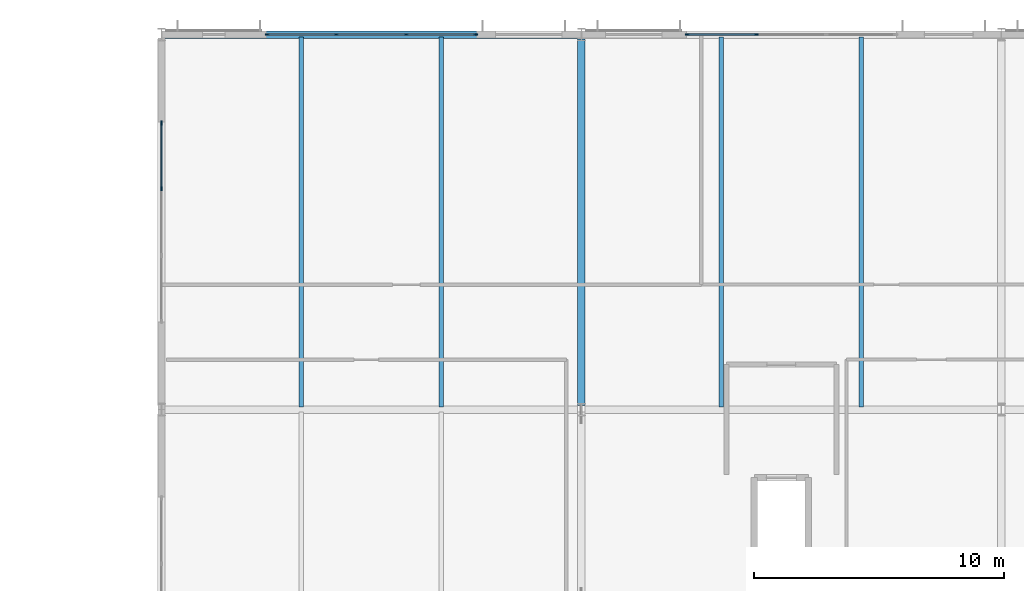
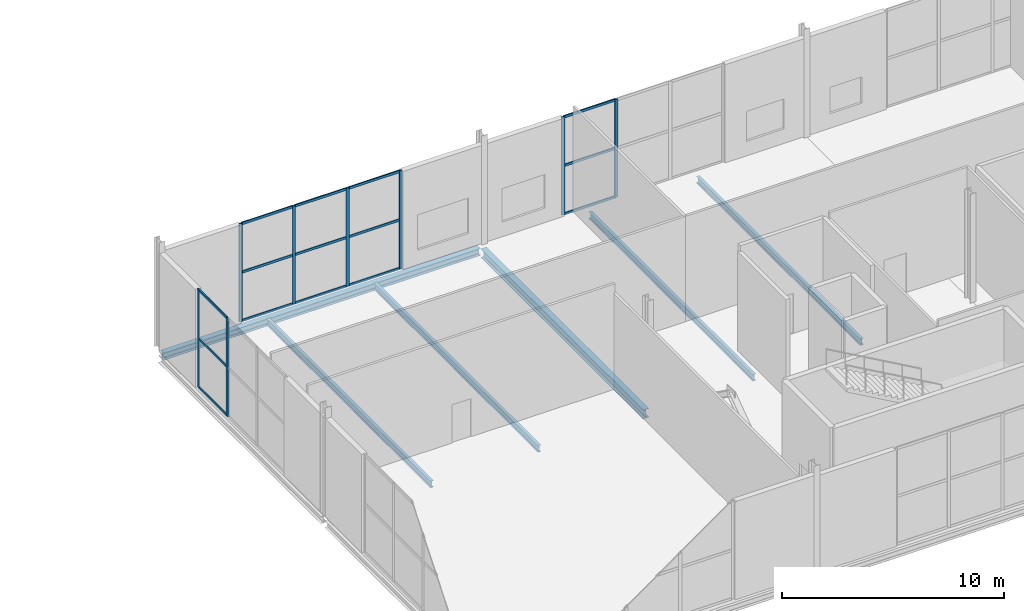
# One storey, part 31 of 100: 23 members, 6 beams, 3 elements without a shape of their own.
"""IFC4 building model written with IfcOpenShell, lengths in metres."""

import ifcopenshell
import ifcopenshell.guid

model = None  # the IFC model being written
_history = None  # IfcOwnerHistory: only IFC2X3 demands one
_inside = {}  # id of a spatial element -> (the spatial element, [elements in it])
_under = {}  # id of a project, library or spatial element -> (it, [spatial elements below it])
_declared = {}  # id of a project -> (the project, [libraries it declares])
_typed = {}  # id of a type object -> (the type object, [elements of that type])
_made_of = {}  # id of a material, layer set ... -> (it, [elements and type objects made of it])


def new_model(schema):
    """Start an empty IFC model of exactly this schema.

    Asked for "IFC4X3", IfcOpenShell would pick the latest addendum, in which some entities
    have other attributes; the version numbers below select the first issue.
    IFC2X3 requires an IfcOwnerHistory on every rooted entity: one is made here for all.
    """
    global model, _history
    if schema == "IFC4X3":
        model = ifcopenshell.file(schema_version=(4, 3, 0, 0))
    else:
        model = ifcopenshell.file(schema=schema)
    _inside.clear()
    _under.clear()
    _declared.clear()
    _typed.clear()
    _made_of.clear()
    _history = None
    if model.schema == "IFC2X3":
        org = make("IfcOrganization", Name="unknown")
        user = make(
            "IfcPersonAndOrganization",
            ThePerson=make("IfcPerson", FamilyName="unknown"),
            TheOrganization=org,
        )
        app = make(
            "IfcApplication",
            ApplicationDeveloper=org,
            Version="unknown",
            ApplicationFullName="unknown",
            ApplicationIdentifier="unknown",
        )
        _history = make(
            "IfcOwnerHistory",
            OwningUser=user,
            OwningApplication=app,
            ChangeAction="ADDED",
            CreationDate=0,
        )
    return model


def make(cls, **values):
    """One entity of the class cls with the attributes given. An attribute that is None is left unset."""
    return model.create_entity(
        cls, **{name: value for name, value in values.items() if value is not None}
    )


def rooted(cls, **values):
    """An entity with a GlobalId (a new one), such as an element, a storey or a relation."""
    return make(cls, GlobalId=ifcopenshell.guid.new(), OwnerHistory=_history, **values)


def si_unit(unit_type, name, prefix=None):
    """IfcSIUnit, for example si_unit("LENGTHUNIT", "METRE", prefix="MILLI")."""
    return make("IfcSIUnit", UnitType=unit_type, Prefix=prefix, Name=name)


def assignment(units):
    """IfcUnitAssignment: the units of a project."""
    return None if units is None else make("IfcUnitAssignment", Units=units)


def point(xyz):
    """IfcCartesianPoint."""
    return None if xyz is None else make("IfcCartesianPoint", Coordinates=xyz)


def direction(xyz):
    """IfcDirection."""
    return None if xyz is None else make("IfcDirection", DirectionRatios=xyz)


def frame(location, z_axis=None, x_axis=None):
    """IfcAxis2Placement3D, a coordinate frame: its origin and axes. An axis left out is left unset."""
    return make(
        "IfcAxis2Placement3D",
        Location=point(location),
        Axis=direction(z_axis),
        RefDirection=direction(x_axis),
    )


def frame_2d(location, x_axis=None):
    """IfcAxis2Placement2D, a coordinate frame in the plane: its origin and x axis."""
    return make(
        "IfcAxis2Placement2D", Location=point(location), RefDirection=direction(x_axis)
    )


def origin():
    """The frame at (0, 0, 0) with its axes left unset."""
    return frame((0.0, 0.0, 0.0))


def origin_2d():
    """The frame at (0, 0) in the plane with its x axis left unset."""
    return frame_2d((0.0, 0.0))


def place(relative_to, where):
    """IfcLocalPlacement: puts the frame where relative to a parent placement (None: the world)."""
    return make(
        "IfcLocalPlacement", PlacementRelTo=relative_to, RelativePlacement=where
    )


def context(
    kind, dimensions, precision=None, world=None, true_north=None, identifier=None
):
    """IfcGeometricRepresentationContext, for example the 3D "Model" context."""
    return make(
        "IfcGeometricRepresentationContext",
        ContextIdentifier=identifier,
        ContextType=kind,
        CoordinateSpaceDimension=dimensions,
        Precision=precision,
        WorldCoordinateSystem=world,
        TrueNorth=true_north,
    )


def subcontext(parent, identifier, kind, view, scale=None):
    """IfcGeometricRepresentationSubContext, for example "Body" below "Model"."""
    return make(
        "IfcGeometricRepresentationSubContext",
        ContextIdentifier=identifier,
        ContextType=kind,
        ParentContext=parent,
        TargetScale=scale,
        TargetView=view,
    )


def project(units=None, contexts=None):
    """IfcProject with its units and contexts."""
    return rooted(
        "IfcProject",
        Name="project",
        RepresentationContexts=contexts,
        UnitsInContext=assignment(units),
    )


def spatial(cls, under=None, at=None, **own):
    """A site, building, storey or space (cls), placed at a placement, below another one or the project."""
    s = rooted(cls, ObjectPlacement=at, **own)
    if under is not None:
        _under.setdefault(under.id(), (under, []))[1].append(s)
    return s


def profile(cls, at=None, kind="AREA", **sizes):
    """A parametric profile (cls). Its sizes go by their IFC names, for example OverallWidth=200.0."""
    return make(cls, ProfileType=kind, Position=at, **sizes)


def rectangle(**sizes):
    """IfcRectangleProfileDef."""
    return profile("IfcRectangleProfileDef", **sizes)


def i_section(**sizes):
    """IfcIShapeProfileDef."""
    return profile("IfcIShapeProfileDef", **sizes)


def extrude(swept, where, along, depth):
    """IfcExtrudedAreaSolid: the profile swept, set in the frame where, extruded along a direction by depth."""
    return make(
        "IfcExtrudedAreaSolid",
        SweptArea=swept,
        Position=where,
        ExtrudedDirection=direction(along),
        Depth=depth,
    )


def shape(context_of_items, identifier, shape_type, items):
    """IfcShapeRepresentation: the items that make up one representation, for example the "Body"."""
    return make(
        "IfcShapeRepresentation",
        ContextOfItems=context_of_items,
        RepresentationIdentifier=identifier,
        RepresentationType=shape_type,
        Items=items,
    )


def material(Name=None, Category=None):
    """IfcMaterial."""
    return make("IfcMaterial", Name=Name, Category=Category)


def material_profile(
    of_material, cross_section, Name=None, Category=None, Priority=None
):
    """IfcMaterialProfile: a cross section and its material."""
    return make(
        "IfcMaterialProfile",
        Name=Name,
        Material=of_material,
        Profile=cross_section,
        Priority=Priority,
        Category=Category,
    )


def profile_set(profiles, Name=None, composite=None):
    """IfcMaterialProfileSet."""
    return make(
        "IfcMaterialProfileSet",
        Name=Name,
        MaterialProfiles=profiles,
        CompositeProfile=composite,
    )


def made_of(thing, what):
    """Note that an element or type object is made of a material, layer set ...; save() writes the relation."""
    if what is not None:
        _made_of.setdefault(what.id(), (what, []))[1].append(thing)
    return thing


def type_object(cls, material=None, **own):
    """A type object (cls), such as IfcWallType, which elements share."""
    return made_of(rooted(cls, **own), material)


def element(
    cls,
    number,
    at=None,
    inside=None,
    cuts=None,
    type_object=None,
    material=None,
    context=None,
    identifier="Body",
    shape_type=None,
    held_by="IfcProductDefinitionShape",
    body=None,
    shapes=None,
    **own,
):
    """One element of the class cls, such as IfcWall. Its Tag is "e" and its number.

    at: its placement. inside: the storey or other place that contains it. cuts: it is an
    opening in that element (IfcRelVoidsElement). A single representation is given by context,
    identifier, shape_type and body (its items); several are given by shapes. held_by: the class
    of the entity that holds the representations. save() writes the other relations.
    """
    e = rooted(cls, Tag="e%d" % number, ObjectPlacement=at, **own)
    if body is not None:
        shapes = [shape(context, identifier, shape_type, body)]
    if shapes is not None:
        e.Representation = make(held_by, Representations=shapes)
    if inside is not None:
        _inside.setdefault(inside.id(), (inside, []))[1].append(e)
    if cuts is not None:
        rooted(
            "IfcRelVoidsElement", RelatingBuildingElement=cuts, RelatedOpeningElement=e
        )
    if type_object is not None:
        _typed.setdefault(type_object.id(), (type_object, []))[1].append(e)
    return made_of(e, material)


def aggregate(whole, parts):
    """IfcRelAggregates: a whole, such as a stair, and the parts it consists of."""
    return rooted("IfcRelAggregates", RelatingObject=whole, RelatedObjects=parts)


def save(model, path):
    """Write the relations noted so far, then the file.

    IfcRelAggregates (storeys below a building ...), IfcRelContainedInSpatialStructure (elements
    in a storey), IfcRelDefinesByType, IfcRelAssociatesMaterial and IfcRelDeclares: one each for
    every whole, place, type object, material and project.
    """
    for whole, parts in _under.values():
        aggregate(whole, parts)
    for where, things in _inside.values():
        rooted(
            "IfcRelContainedInSpatialStructure",
            RelatedElements=things,
            RelatingStructure=where,
        )
    for kind, things in _typed.values():
        rooted("IfcRelDefinesByType", RelatedObjects=things, RelatingType=kind)
    for what, things in _made_of.values():
        rooted("IfcRelAssociatesMaterial", RelatedObjects=things, RelatingMaterial=what)
    for by, libraries in _declared.values():
        rooted("IfcRelDeclares", RelatingContext=by, RelatedDefinitions=libraries)
    model.write(path)


model = new_model("IFC4")

# Units and contexts
model_context = context("Model", 3, precision=1e-05, world=origin(), true_north=direction((0.0, 1.0)))
body_context = subcontext(model_context, "Body", "Model", "MODEL_VIEW")
ifc_project = project(units=[si_unit("LENGTHUNIT", "METRE"), si_unit("AREAUNIT", "SQUARE_METRE"), si_unit("VOLUMEUNIT", "CUBIC_METRE"), si_unit("PLANEANGLEUNIT", "RADIAN"), si_unit("MASSUNIT", "GRAM", prefix="KILO")], contexts=[model_context])

# Site, building, storey
site_placement = place(None, origin())
site = spatial("IfcSite", under=ifc_project, at=site_placement, CompositionType="ELEMENT")
building_placement = place(site_placement, origin())
building = spatial("IfcBuilding", under=site, at=building_placement, Name="Kimbaza Rail Terminus", CompositionType="ELEMENT")
storey_placement = place(building_placement, frame((0.0, 0.0, 10.800048828125)))
storey = spatial("IfcBuildingStorey", under=building, at=storey_placement, Name="L02", CompositionType="ELEMENT", Elevation=10.800048828125)

# Curtain wall, members
ifc_material_1 = material(Name="Anodised aluminium framing and solar low-E glazing", Category="aluminium")
curtain_wall_type = type_object("IfcCurtainWallType", Name="ARC-CW-OP1", PredefinedType="USERDEFINED", material=ifc_material_1)
curtain_wall_1_placement = place(storey_placement, origin())
curtain_wall_1 = element("IfcCurtainWall", 1, at=curtain_wall_1_placement, inside=storey, type_object=curtain_wall_type, Name="Operations North Curtain Wall L02 Bay 1", ObjectType="UNITISED CURTAIN WALL", PredefinedType="USERDEFINED")
ifc_material_2 = material(Name="Anodised architectural aluminium", Category="aluminium")
ifc_material_profile_1 = material_profile(ifc_material_2, rectangle(XDim=0.06201171875, YDim=0.1650390625, at=origin_2d()), Name="MULLION 62x165")
ifc_profile_set_1 = profile_set([ifc_material_profile_1], Name="Anodised architectural aluminium")
member_type_1 = type_object("IfcMemberType", Name="ARC-CWM-05", PredefinedType="MULLION", material=ifc_profile_set_1)
member_1_placement = place(storey_placement, frame((59.430908203125, 133.0, 0.0), z_axis=(0.0, 0.0, 1.0), x_axis=(0.0, 1.0, 0.0)))
member_1 = element("IfcMember", 2, at=member_1_placement, type_object=member_type_1, Name="CW-05 mullion 1", PredefinedType="MULLION", context=body_context, shape_type="SweptSolid", body=[
    extrude(rectangle(XDim=0.06201171875, YDim=0.1650390625, at=origin_2d()), origin(), (0.0, 0.0, 1.0), 5.405029296875),
])
member_2_placement = place(storey_placement, frame((62.199951171875, 133.0, 0.0), z_axis=(0.0, 0.0, 1.0), x_axis=(0.0, 1.0, 0.0)))
member_2 = element("IfcMember", 3, at=member_2_placement, type_object=member_type_1, Name="CW-05 mullion 2", PredefinedType="MULLION", context=body_context, shape_type="SweptSolid", body=[
    extrude(rectangle(XDim=0.06201171875, YDim=0.1650390625, at=origin_2d()), origin(), (0.0, 0.0, 1.0), 5.405029296875),
])
member_3_placement = place(storey_placement, frame((65.0, 133.0, 0.0), z_axis=(0.0, 0.0, 1.0), x_axis=(0.0, 1.0, 0.0)))
member_3 = element("IfcMember", 4, at=member_3_placement, type_object=member_type_1, Name="CW-05 mullion 3", PredefinedType="MULLION", context=body_context, shape_type="SweptSolid", body=[
    extrude(rectangle(XDim=0.06201171875, YDim=0.1650390625, at=origin_2d()), origin(), (0.0, 0.0, 1.0), 5.405029296875),
])
member_4_placement = place(storey_placement, frame((67.76904296875, 133.0, 0.0), z_axis=(0.0, 0.0, 1.0), x_axis=(0.0, 1.0, 0.0)))
member_4 = element("IfcMember", 5, at=member_4_placement, type_object=member_type_1, Name="CW-05 mullion 4", PredefinedType="MULLION", context=body_context, shape_type="SweptSolid", body=[
    extrude(rectangle(XDim=0.06201171875, YDim=0.1650390625, at=origin_2d()), origin(), (0.0, 0.0, 1.0), 5.405029296875),
])

curtain_wall_2_placement = place(storey_placement, origin())
curtain_wall_2 = element("IfcCurtainWall", 6, at=curtain_wall_2_placement, inside=storey, type_object=curtain_wall_type, Name="Operations North Curtain Wall L02 Bay 2", ObjectType="UNITISED CURTAIN WALL", PredefinedType="USERDEFINED")
member_5_placement = place(storey_placement, frame((76.23095703125, 133.0, 0.0), z_axis=(0.0, 0.0, 1.0), x_axis=(0.0, 1.0, 0.0)))
member_5 = element("IfcMember", 7, at=member_5_placement, type_object=member_type_1, Name="CW-05 mullion 1", PredefinedType="MULLION", context=body_context, shape_type="SweptSolid", body=[
    extrude(rectangle(XDim=0.06201171875, YDim=0.1650390625, at=origin_2d()), origin(), (0.0, 0.0, 1.0), 5.405029296875),
])
member_6_placement = place(storey_placement, frame((79.0, 133.0, 0.0), z_axis=(0.0, 0.0, 1.0), x_axis=(0.0, 1.0, 0.0)))
member_6 = element("IfcMember", 8, at=member_6_placement, type_object=member_type_1, Name="CW-05 mullion 2", PredefinedType="MULLION", context=body_context, shape_type="SweptSolid", body=[
    extrude(rectangle(XDim=0.06201171875, YDim=0.1650390625, at=origin_2d()), origin(), (0.0, 0.0, 1.0), 5.405029296875),
])

curtain_wall_3_placement = place(storey_placement, origin())
curtain_wall_3 = element("IfcCurtainWall", 9, at=curtain_wall_3_placement, inside=storey, type_object=curtain_wall_type, Name="Operations W Curtain Wall L02.2", ObjectType="UNITISED CURTAIN WALL", PredefinedType="USERDEFINED")
member_7_placement = place(storey_placement, frame((55.199951171875, 126.833251953125, 0.0), z_axis=(0.0, 0.0, 1.0), x_axis=(-1.0, 0.0, 0.0)))
member_7 = element("IfcMember", 10, at=member_7_placement, type_object=member_type_1, Name="CW-05 mullion 3", PredefinedType="MULLION", context=body_context, shape_type="SweptSolid", body=[
    extrude(rectangle(XDim=0.06201171875, YDim=0.1650390625, at=origin_2d()), origin(), (0.0, 0.0, 1.0), 5.405029296875),
])
member_8_placement = place(storey_placement, frame((55.199951171875, 129.468994140625, 0.0), z_axis=(0.0, 0.0, 1.0), x_axis=(-1.0, 0.0, 0.0)))
member_8 = element("IfcMember", 11, at=member_8_placement, type_object=member_type_1, Name="CW-05 mullion 4", PredefinedType="MULLION", context=body_context, shape_type="SweptSolid", body=[
    extrude(rectangle(XDim=0.06201171875, YDim=0.1650390625, at=origin_2d()), origin(), (0.0, 0.0, 1.0), 5.405029296875),
])

# Member
ifc_material_3 = material(Name="Anodised architectural aluminium", Category="aluminium")
ifc_material_profile_2 = material_profile(ifc_material_3, rectangle(XDim=0.06201171875, YDim=0.135009765625, at=origin_2d()), Name="TRANSOM 62x135")
ifc_profile_set_2 = profile_set([ifc_material_profile_2], Name="Anodised architectural aluminium")
member_type_2 = type_object("IfcMemberType", Name="ARC-CWT-05", PredefinedType="USERDEFINED", material=ifc_profile_set_2)
member_9_placement = place(storey_placement, frame((59.4619140625, 133.0, 0.031005859375), z_axis=(1.0, 0.0, 0.0), x_axis=(0.0, 1.0, 0.0)))
member_9 = element("IfcMember", 12, at=member_9_placement, type_object=member_type_2, Name="CW-05 transom 1.1", ObjectType="TRANSOM", PredefinedType="USERDEFINED", context=body_context, shape_type="SweptSolid", body=[
    extrude(rectangle(XDim=0.06201171875, YDim=0.135009765625, at=origin_2d()), origin(), (0.0, 0.0, 1.0), 2.70703125),
])

member_10_placement = place(storey_placement, frame((59.4619140625, 133.0, 2.702392578125), z_axis=(1.0, 0.0, 0.0), x_axis=(0.0, 1.0, 0.0)))
member_10 = element("IfcMember", 13, at=member_10_placement, type_object=member_type_2, Name="CW-05 transom 1.2", ObjectType="TRANSOM", PredefinedType="USERDEFINED", context=body_context, shape_type="SweptSolid", body=[
    extrude(rectangle(XDim=0.06201171875, YDim=0.135009765625, at=origin_2d()), origin(), (0.0, 0.0, 1.0), 2.70703125),
])

member_11_placement = place(storey_placement, frame((59.4619140625, 133.0, 5.3740234375), z_axis=(1.0, 0.0, 0.0), x_axis=(0.0, 1.0, 0.0)))
member_11 = element("IfcMember", 14, at=member_11_placement, type_object=member_type_2, Name="CW-05 transom 1.3", ObjectType="TRANSOM", PredefinedType="USERDEFINED", context=body_context, shape_type="SweptSolid", body=[
    extrude(rectangle(XDim=0.06201171875, YDim=0.135009765625, at=origin_2d()), origin(), (0.0, 0.0, 1.0), 2.70703125),
])

member_12_placement = place(storey_placement, frame((62.23095703125, 133.0, 0.031005859375), z_axis=(1.0, 0.0, 0.0), x_axis=(0.0, 1.0, 0.0)))
member_12 = element("IfcMember", 15, at=member_12_placement, type_object=member_type_2, Name="CW-05 transom 2.1", ObjectType="TRANSOM", PredefinedType="USERDEFINED", context=body_context, shape_type="SweptSolid", body=[
    extrude(rectangle(XDim=0.06201171875, YDim=0.135009765625, at=origin_2d()), origin(), (0.0, 0.0, 1.0), 2.738037109375),
])

member_13_placement = place(storey_placement, frame((62.23095703125, 133.0, 2.702392578125), z_axis=(1.0, 0.0, 0.0), x_axis=(0.0, 1.0, 0.0)))
member_13 = element("IfcMember", 16, at=member_13_placement, type_object=member_type_2, Name="CW-05 transom 2.2", ObjectType="TRANSOM", PredefinedType="USERDEFINED", context=body_context, shape_type="SweptSolid", body=[
    extrude(rectangle(XDim=0.06201171875, YDim=0.135009765625, at=origin_2d()), origin(), (0.0, 0.0, 1.0), 2.738037109375),
])

member_14_placement = place(storey_placement, frame((62.23095703125, 133.0, 5.3740234375), z_axis=(1.0, 0.0, 0.0), x_axis=(0.0, 1.0, 0.0)))
member_14 = element("IfcMember", 17, at=member_14_placement, type_object=member_type_2, Name="CW-05 transom 2.3", ObjectType="TRANSOM", PredefinedType="USERDEFINED", context=body_context, shape_type="SweptSolid", body=[
    extrude(rectangle(XDim=0.06201171875, YDim=0.135009765625, at=origin_2d()), origin(), (0.0, 0.0, 1.0), 2.738037109375),
])

member_15_placement = place(storey_placement, frame((65.031005859375, 133.0, 0.031005859375), z_axis=(1.0, 0.0, 0.0), x_axis=(0.0, 1.0, 0.0)))
member_15 = element("IfcMember", 18, at=member_15_placement, type_object=member_type_2, Name="CW-05 transom 3.1", ObjectType="TRANSOM", PredefinedType="USERDEFINED", context=body_context, shape_type="SweptSolid", body=[
    extrude(rectangle(XDim=0.06201171875, YDim=0.135009765625, at=origin_2d()), origin(), (0.0, 0.0, 1.0), 2.70703125),
])

member_16_placement = place(storey_placement, frame((65.031005859375, 133.0, 2.702392578125), z_axis=(1.0, 0.0, 0.0), x_axis=(0.0, 1.0, 0.0)))
member_16 = element("IfcMember", 19, at=member_16_placement, type_object=member_type_2, Name="CW-05 transom 3.2", ObjectType="TRANSOM", PredefinedType="USERDEFINED", context=body_context, shape_type="SweptSolid", body=[
    extrude(rectangle(XDim=0.06201171875, YDim=0.135009765625, at=origin_2d()), origin(), (0.0, 0.0, 1.0), 2.70703125),
])

member_17_placement = place(storey_placement, frame((65.031005859375, 133.0, 5.3740234375), z_axis=(1.0, 0.0, 0.0), x_axis=(0.0, 1.0, 0.0)))
member_17 = element("IfcMember", 20, at=member_17_placement, type_object=member_type_2, Name="CW-05 transom 3.3", ObjectType="TRANSOM", PredefinedType="USERDEFINED", context=body_context, shape_type="SweptSolid", body=[
    extrude(rectangle(XDim=0.06201171875, YDim=0.135009765625, at=origin_2d()), origin(), (0.0, 0.0, 1.0), 2.70703125),
])

aggregate(curtain_wall_1, [member_1, member_2, member_3, member_4, member_9, member_10, member_11, member_12, member_13, member_14, member_15, member_16, member_17])

member_18_placement = place(storey_placement, frame((76.261962890625, 133.0, 0.031005859375), z_axis=(1.0, 0.0, 0.0), x_axis=(0.0, 1.0, 0.0)))
member_18 = element("IfcMember", 21, at=member_18_placement, type_object=member_type_2, Name="CW-05 transom 1.1", ObjectType="TRANSOM", PredefinedType="USERDEFINED", context=body_context, shape_type="SweptSolid", body=[
    extrude(rectangle(XDim=0.06201171875, YDim=0.135009765625, at=origin_2d()), origin(), (0.0, 0.0, 1.0), 2.70703125),
])

member_19_placement = place(storey_placement, frame((76.261962890625, 133.0, 2.702392578125), z_axis=(1.0, 0.0, 0.0), x_axis=(0.0, 1.0, 0.0)))
member_19 = element("IfcMember", 22, at=member_19_placement, type_object=member_type_2, Name="CW-05 transom 1.2", ObjectType="TRANSOM", PredefinedType="USERDEFINED", context=body_context, shape_type="SweptSolid", body=[
    extrude(rectangle(XDim=0.06201171875, YDim=0.135009765625, at=origin_2d()), origin(), (0.0, 0.0, 1.0), 2.70703125),
])

member_20_placement = place(storey_placement, frame((76.261962890625, 133.0, 5.3740234375), z_axis=(1.0, 0.0, 0.0), x_axis=(0.0, 1.0, 0.0)))
member_20 = element("IfcMember", 23, at=member_20_placement, type_object=member_type_2, Name="CW-05 transom 1.3", ObjectType="TRANSOM", PredefinedType="USERDEFINED", context=body_context, shape_type="SweptSolid", body=[
    extrude(rectangle(XDim=0.06201171875, YDim=0.135009765625, at=origin_2d()), origin(), (0.0, 0.0, 1.0), 2.70703125),
])

aggregate(curtain_wall_2, [member_5, member_6, member_18, member_19, member_20])

member_21_placement = place(storey_placement, frame((55.199951171875, 126.8642578125, 0.031005859375), z_axis=(0.0, 1.0, 0.0), x_axis=(-1.0, 0.0, 0.0)))
member_21 = element("IfcMember", 24, at=member_21_placement, type_object=member_type_2, Name="CW-05 transom 3.1", ObjectType="TRANSOM", PredefinedType="USERDEFINED", context=body_context, shape_type="SweptSolid", body=[
    extrude(rectangle(XDim=0.06201171875, YDim=0.135009765625, at=origin_2d()), origin(), (0.0, 0.0, 1.0), 2.57373046875),
])

member_22_placement = place(storey_placement, frame((55.199951171875, 126.8642578125, 2.702392578125), z_axis=(0.0, 1.0, 0.0), x_axis=(-1.0, 0.0, 0.0)))
member_22 = element("IfcMember", 25, at=member_22_placement, type_object=member_type_2, Name="CW-05 transom 3.2", ObjectType="TRANSOM", PredefinedType="USERDEFINED", context=body_context, shape_type="SweptSolid", body=[
    extrude(rectangle(XDim=0.06201171875, YDim=0.135009765625, at=origin_2d()), origin(), (0.0, 0.0, 1.0), 2.57373046875),
])

member_23_placement = place(storey_placement, frame((55.199951171875, 126.8642578125, 5.3740234375), z_axis=(0.0, 1.0, 0.0), x_axis=(-1.0, 0.0, 0.0)))
member_23 = element("IfcMember", 26, at=member_23_placement, type_object=member_type_2, Name="CW-05 transom 3.3", ObjectType="TRANSOM", PredefinedType="USERDEFINED", context=body_context, shape_type="SweptSolid", body=[
    extrude(rectangle(XDim=0.06201171875, YDim=0.135009765625, at=origin_2d()), origin(), (0.0, 0.0, 1.0), 2.57373046875),
])

aggregate(curtain_wall_3, [member_7, member_8, member_21, member_22, member_23])

# Beams
ifc_material_4 = material(Name="Steel S355", Category="steel")
ifc_material_profile_3 = material_profile(ifc_material_4, i_section(OverallWidth=0.300048828125, OverallDepth=0.389892578125, WebThickness=0.010986328125, FlangeThickness=0.01904296875, FilletRadius=0.027099609375, at=origin_2d()), Name="HEA 400")
ifc_profile_set_3 = profile_set([ifc_material_profile_3], Name="Steel S355")
beam_type_1 = type_object("IfcBeamType", Name="STR-BM-HEA400", PredefinedType="SPANDREL", material=ifc_profile_set_3)
beam_1_placement = place(storey_placement, frame((55.345947265625, 133.0, -0.43505859375), z_axis=(1.0, 0.0, 0.0), x_axis=(0.0, 1.0, 0.0)))
element("IfcBeam", 27, at=beam_1_placement, inside=storey, type_object=beam_type_1, Name="Operations Girder L02 X0-Y2", PredefinedType="SPANDREL", context=body_context, shape_type="SweptSolid", body=[
    extrude(i_section(OverallWidth=0.300048828125, OverallDepth=0.389892578125, WebThickness=0.010986328125, FlangeThickness=0.01904296875, FilletRadius=0.027099609375, at=origin_2d()), origin(), (0.0, 0.0, 1.0), 16.508056640625),
])
ifc_material_5 = material(Name="Steel S355", Category="steel")
ifc_material_profile_4 = material_profile(ifc_material_5, i_section(OverallWidth=0.300048828125, OverallDepth=0.5, WebThickness=0.014404296875, FlangeThickness=0.028076171875, FilletRadius=0.027099609375, at=origin_2d()), Name="HEB 500")
ifc_profile_set_4 = profile_set([ifc_material_profile_4], Name="Steel S355")
beam_type_2 = type_object("IfcBeamType", Name="STR-BM-HEB500", PredefinedType="BEAM", material=ifc_profile_set_4)
beam_2_placement = place(storey_placement, frame((72.0, 118.175048828125, -0.489990234375), z_axis=(0.0, 1.0, 0.0), x_axis=(-1.0, 0.0, 0.0)))
element("IfcBeam", 28, at=beam_2_placement, inside=storey, type_object=beam_type_2, Name="Operations Cross Girder L02 X1-Y1", PredefinedType="BEAM", context=body_context, shape_type="SweptSolid", body=[
    extrude(i_section(OverallWidth=0.300048828125, OverallDepth=0.5, WebThickness=0.014404296875, FlangeThickness=0.028076171875, FilletRadius=0.027099609375, at=origin_2d()), origin(), (0.0, 0.0, 1.0), 14.64990234375),
])
ifc_material_6 = material(Name="Steel S355", Category="steel")
ifc_material_profile_5 = material_profile(ifc_material_6, i_section(OverallWidth=0.169921875, OverallDepth=0.360107421875, WebThickness=0.008056640625, FlangeThickness=0.0126953125, FilletRadius=0.01806640625, at=origin_2d()), Name="IPE 360")
ifc_profile_set_5 = profile_set([ifc_material_profile_5], Name="Steel S355")
beam_type_3 = type_object("IfcBeamType", Name="STR-BM-IPE360", PredefinedType="JOIST", material=ifc_profile_set_5)
for number, where, z_axis, x_axis, name in (
    (29, (60.800048828125, 118.10009765625, -0.420166015625), (0.0, 1.0, 0.0), (-1.0, 0.0, 0.0), "Operations Secondary Joist L02"),
    (30, (66.39990234375, 118.10009765625, -0.420166015625), (0.0, 1.0, 0.0), (-1.0, 0.0, 0.0), "Operations Secondary Joist L02"),
    (31, (77.60009765625, 118.10009765625, -0.420166015625), (0.0, 1.0, 0.0), (-1.0, 0.0, 0.0), "Operations Secondary Joist L02"),
    (32, (83.199951171875, 118.10009765625, -0.420166015625), (0.0, 1.0, 0.0), (-1.0, 0.0, 0.0), "Operations Secondary Joist L02"),
):
    element("IfcBeam", number, at=place(storey_placement, frame(where, z_axis=z_axis, x_axis=x_axis)), inside=storey, type_object=beam_type_3, Name=name, PredefinedType="JOIST", context=body_context, shape_type="SweptSolid", body=[
        extrude(i_section(OverallWidth=0.169921875, OverallDepth=0.360107421875, WebThickness=0.008056640625, FlangeThickness=0.0126953125, FilletRadius=0.01806640625, at=origin_2d()), origin(), (0.0, 0.0, 1.0), 14.7998046875),
    ])

save(model, "model.ifc")
